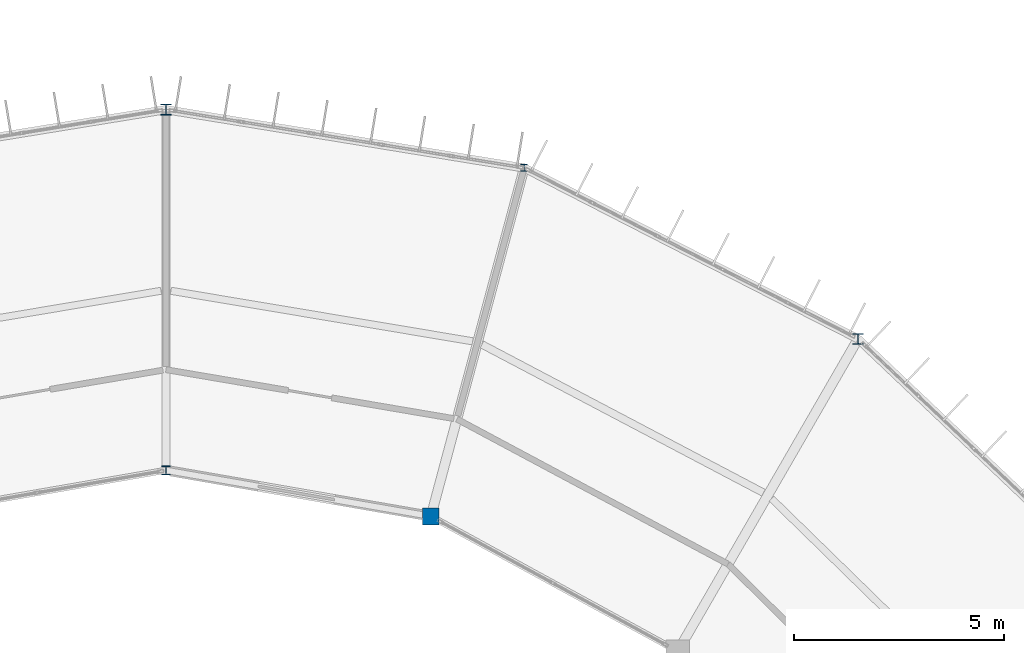
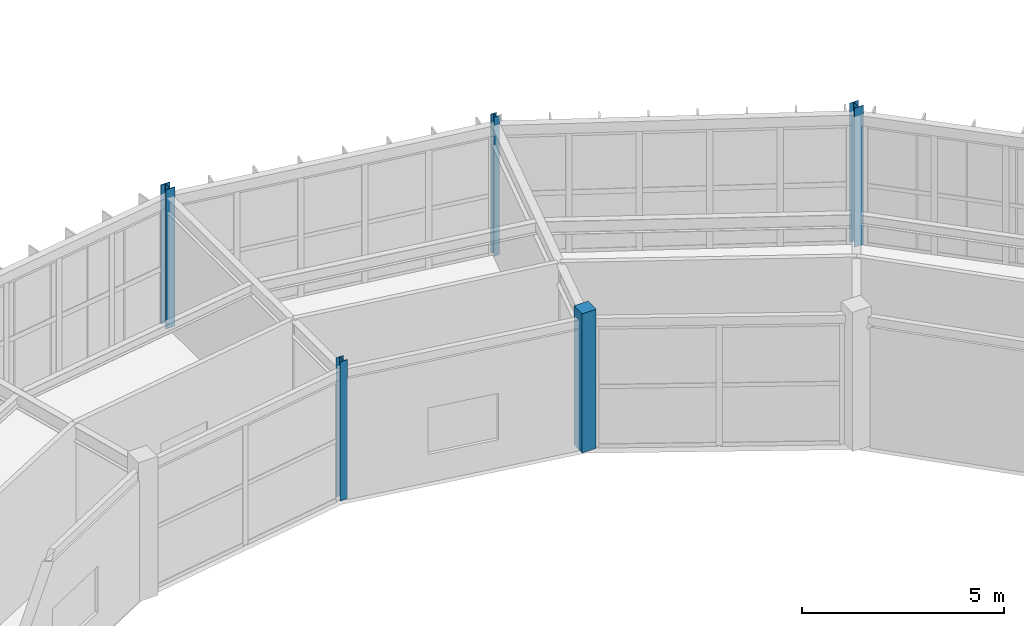
# One storey, part 15 of 134: 5 columns.
"""IFC4 building model written with IfcOpenShell, lengths in metres."""

from ifc_helpers import new_model, si_unit, direction, frame, origin, origin_2d, place, context, subcontext, project, spatial, rectangle, i_section, extrude, material, material_profile, profile_set, type_object, element, save


model = new_model("IFC4")

# Units and contexts
model_context = context("Model", 3, precision=1e-05, world=origin(), true_north=direction((0.0, 1.0)))
body_context = subcontext(model_context, "Body", "Model", "MODEL_VIEW")
ifc_project = project(units=[si_unit("LENGTHUNIT", "METRE"), si_unit("AREAUNIT", "SQUARE_METRE"), si_unit("VOLUMEUNIT", "CUBIC_METRE"), si_unit("PLANEANGLEUNIT", "RADIAN"), si_unit("MASSUNIT", "GRAM", prefix="KILO")], contexts=[model_context])

# Site, building, storey
site_placement = place(None, origin())
site = spatial("IfcSite", under=ifc_project, at=site_placement, CompositionType="ELEMENT")
building_placement = place(site_placement, origin())
building = spatial("IfcBuilding", under=site, at=building_placement, Name="Karori Crest Natural Sciences Institute", CompositionType="ELEMENT")
storey_placement = place(building_placement, frame((0.0, 0.0, 21.699951171875)))
storey = spatial("IfcBuildingStorey", under=building, at=storey_placement, Name="L05", CompositionType="ELEMENT", Elevation=21.699951171875)

# Columns
ifc_material_1 = material(Name="Structural steel AS/NZS 3679.1 Grade 350", Category="steel")
ifc_material_profile_1 = material_profile(ifc_material_1, i_section(OverallWidth=0.256103515625, OverallDepth=0.260009765625, WebThickness=0.010498046875, FlangeThickness=0.017333984375, FilletRadius=0.013916015625, at=origin_2d()), Name="250UC89.5")
ifc_profile_set_1 = profile_set([ifc_material_profile_1], Name="Structural steel AS/NZS 3679.1 Grade 350")
column_type_1 = type_object("IfcColumnType", Name="CT-06", PredefinedType="COLUMN", material=ifc_profile_set_1)
column_1_placement = place(storey_placement, frame((66.39990234375, 90.699951171875, 0.0), z_axis=(0.0, 0.0, 1.0), x_axis=(1.0, 0.0, 0.0)))
element("IfcColumn", 1, at=column_1_placement, inside=storey, type_object=column_type_1, Name="Column C-0121", PredefinedType="COLUMN", context=body_context, shape_type="SweptSolid", body=[
    extrude(i_section(OverallWidth=0.256103515625, OverallDepth=0.260009765625, WebThickness=0.010498046875, FlangeThickness=0.017333984375, FilletRadius=0.013916015625, at=origin_2d()), origin(), (0.0, 0.0, 1.0), 4.199951171875),
])
ifc_material_profile_2 = material_profile(ifc_material_1, i_section(OverallWidth=0.25390625, OverallDepth=0.25390625, WebThickness=0.008544921875, FlangeThickness=0.01416015625, FilletRadius=0.013916015625, at=origin_2d()), Name="250UC72.9")
ifc_profile_set_2 = profile_set([ifc_material_profile_2], Name="Structural steel AS/NZS 3679.1 Grade 350")
column_type_2 = type_object("IfcColumnType", Name="CT-07", PredefinedType="COLUMN", material=ifc_profile_set_2)
column_2_placement = place(storey_placement, frame((82.89990234375, 85.23388671875, 0.0), z_axis=(0.0, 0.0, 1.0), x_axis=(1.0, 0.0, 0.0)))
element("IfcColumn", 2, at=column_2_placement, inside=storey, type_object=column_type_2, Name="Column C-0085", PredefinedType="COLUMN", context=body_context, shape_type="SweptSolid", body=[
    extrude(i_section(OverallWidth=0.25390625, OverallDepth=0.25390625, WebThickness=0.008544921875, FlangeThickness=0.01416015625, FilletRadius=0.013916015625, at=origin_2d()), origin(), (0.0, 0.0, 1.0), 4.199951171875),
])
ifc_material_profile_3 = material_profile(ifc_material_1, i_section(OverallWidth=0.205078125, OverallDepth=0.2099609375, WebThickness=0.00927734375, FlangeThickness=0.01416015625, FilletRadius=0.010986328125, at=origin_2d()), Name="200UC59.5")
ifc_profile_set_3 = profile_set([ifc_material_profile_3], Name="Structural steel AS/NZS 3679.1 Grade 350")
column_type_3 = type_object("IfcColumnType", Name="CT-08", PredefinedType="COLUMN", material=ifc_profile_set_3)
column_3_placement = place(storey_placement, frame((66.39990234375, 82.10009765625, 0.0), z_axis=(0.0, 0.0, 1.0), x_axis=(1.0, 0.0, 0.0)))
element("IfcColumn", 3, at=column_3_placement, inside=storey, type_object=column_type_3, Name="Column C-0122", PredefinedType="COLUMN", context=body_context, shape_type="SweptSolid", body=[
    extrude(i_section(OverallWidth=0.205078125, OverallDepth=0.2099609375, WebThickness=0.00927734375, FlangeThickness=0.01416015625, FilletRadius=0.010986328125, at=origin_2d()), origin(), (0.0, 0.0, 1.0), 4.199951171875),
])
ifc_material_profile_4 = material_profile(ifc_material_1, i_section(OverallWidth=0.154052734375, OverallDepth=0.162109375, WebThickness=0.008056640625, FlangeThickness=0.011474609375, FilletRadius=0.009033203125, at=origin_2d()), Name="150UC37.2")
ifc_profile_set_4 = profile_set([ifc_material_profile_4], Name="Structural steel AS/NZS 3679.1 Grade 350")
column_type_4 = type_object("IfcColumnType", Name="CT-26", PredefinedType="COLUMN", material=ifc_profile_set_4)
column_4_placement = place(storey_placement, frame((74.94091796875, 89.309814453125, 0.0), z_axis=(0.0, 0.0, 1.0), x_axis=(1.0, 0.0, 0.0)))
element("IfcColumn", 4, at=column_4_placement, inside=storey, type_object=column_type_4, Name="Column C-0103", PredefinedType="COLUMN", context=body_context, shape_type="SweptSolid", body=[
    extrude(i_section(OverallWidth=0.154052734375, OverallDepth=0.162109375, WebThickness=0.008056640625, FlangeThickness=0.011474609375, FilletRadius=0.009033203125, at=origin_2d()), origin(), (0.0, 0.0, 1.0), 4.199951171875),
])
ifc_material_2 = material(Name="Concrete 50 MPa", Category="concrete")
ifc_material_profile_5 = material_profile(ifc_material_2, rectangle(XDim=0.39990234375, YDim=0.39990234375, at=origin_2d()), Name="RC400x400")
ifc_profile_set_5 = profile_set([ifc_material_profile_5], Name="Concrete 50 MPa")
column_type_5 = type_object("IfcColumnType", Name="CT-31", PredefinedType="PILASTER", material=ifc_profile_set_5)
column_5_placement = place(storey_placement, frame((72.715087890625, 81.002685546875, 0.0), z_axis=(0.0, 0.0, 1.0), x_axis=(1.0, 0.0, 0.0)))
element("IfcColumn", 5, at=column_5_placement, inside=storey, type_object=column_type_5, Name="Column C-0104", PredefinedType="PILASTER", context=body_context, shape_type="SweptSolid", body=[
    extrude(rectangle(XDim=0.39990234375, YDim=0.39990234375, at=origin_2d()), origin(), (0.0, 0.0, 1.0), 4.199951171875),
])

save(model, "model.ifc")
